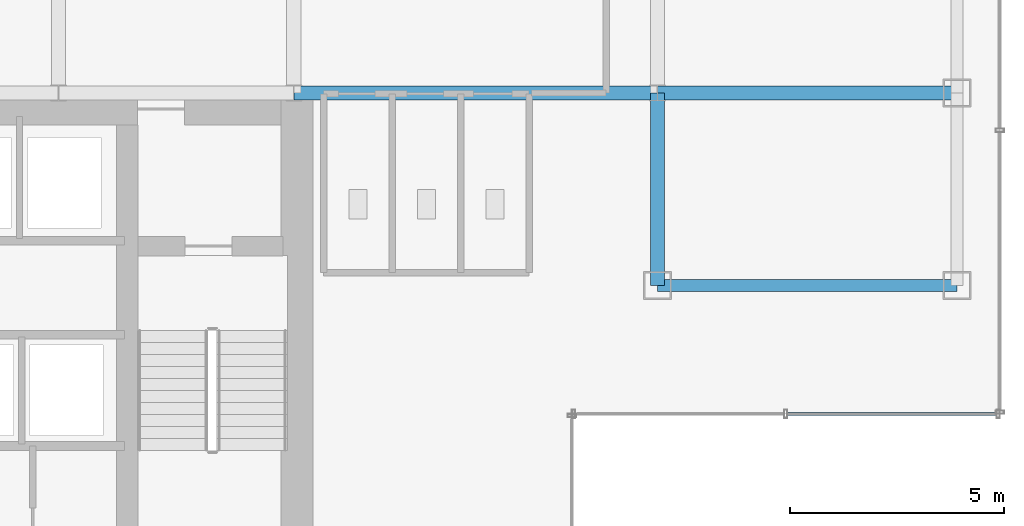
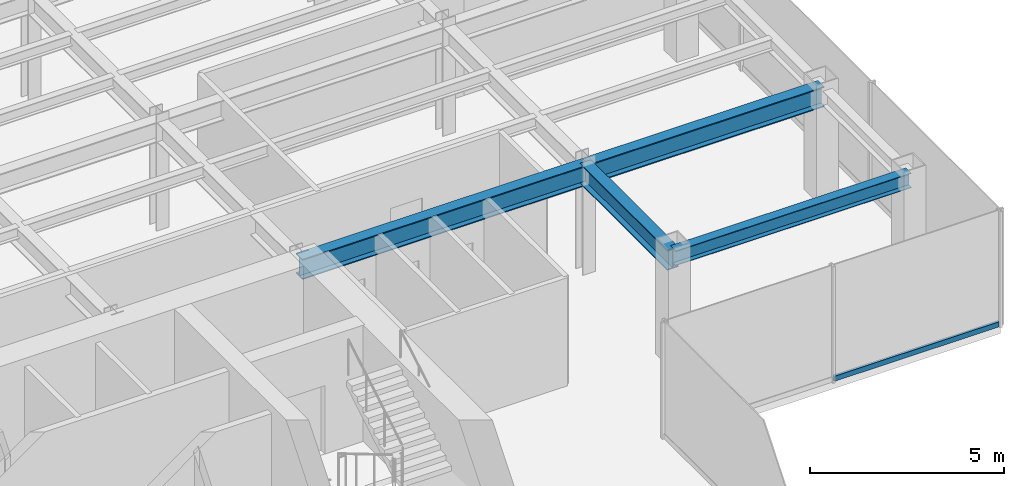
# One storey, part 10 of 25: 4 beams, 1 member, 1 element without a shape of its own.
"""IFC4 building model written with IfcOpenShell, lengths in metres."""

import ifcopenshell
import ifcopenshell.guid

model = None  # the IFC model being written
_history = None  # IfcOwnerHistory: only IFC2X3 demands one
_inside = {}  # id of a spatial element -> (the spatial element, [elements in it])
_under = {}  # id of a project, library or spatial element -> (it, [spatial elements below it])
_declared = {}  # id of a project -> (the project, [libraries it declares])
_typed = {}  # id of a type object -> (the type object, [elements of that type])
_made_of = {}  # id of a material, layer set ... -> (it, [elements and type objects made of it])


def new_model(schema):
    """Start an empty IFC model of exactly this schema.

    Asked for "IFC4X3", IfcOpenShell would pick the latest addendum, in which some entities
    have other attributes; the version numbers below select the first issue.
    IFC2X3 requires an IfcOwnerHistory on every rooted entity: one is made here for all.
    """
    global model, _history
    if schema == "IFC4X3":
        model = ifcopenshell.file(schema_version=(4, 3, 0, 0))
    else:
        model = ifcopenshell.file(schema=schema)
    _inside.clear()
    _under.clear()
    _declared.clear()
    _typed.clear()
    _made_of.clear()
    _history = None
    if model.schema == "IFC2X3":
        org = make("IfcOrganization", Name="unknown")
        user = make(
            "IfcPersonAndOrganization",
            ThePerson=make("IfcPerson", FamilyName="unknown"),
            TheOrganization=org,
        )
        app = make(
            "IfcApplication",
            ApplicationDeveloper=org,
            Version="unknown",
            ApplicationFullName="unknown",
            ApplicationIdentifier="unknown",
        )
        _history = make(
            "IfcOwnerHistory",
            OwningUser=user,
            OwningApplication=app,
            ChangeAction="ADDED",
            CreationDate=0,
        )
    return model


def make(cls, **values):
    """One entity of the class cls with the attributes given. An attribute that is None is left unset."""
    return model.create_entity(
        cls, **{name: value for name, value in values.items() if value is not None}
    )


def rooted(cls, **values):
    """An entity with a GlobalId (a new one), such as an element, a storey or a relation."""
    return make(cls, GlobalId=ifcopenshell.guid.new(), OwnerHistory=_history, **values)


def si_unit(unit_type, name, prefix=None):
    """IfcSIUnit, for example si_unit("LENGTHUNIT", "METRE", prefix="MILLI")."""
    return make("IfcSIUnit", UnitType=unit_type, Prefix=prefix, Name=name)


def derived_unit(unit_type, elements):
    """IfcDerivedUnit: a product of units, each with its exponent."""
    return make(
        "IfcDerivedUnit",
        Elements=[
            make("IfcDerivedUnitElement", Unit=unit, Exponent=power)
            for unit, power in elements
        ],
        UnitType=unit_type,
    )


def assignment(units):
    """IfcUnitAssignment: the units of a project."""
    return None if units is None else make("IfcUnitAssignment", Units=units)


def point(xyz):
    """IfcCartesianPoint."""
    return None if xyz is None else make("IfcCartesianPoint", Coordinates=xyz)


def direction(xyz):
    """IfcDirection."""
    return None if xyz is None else make("IfcDirection", DirectionRatios=xyz)


def frame(location, z_axis=None, x_axis=None):
    """IfcAxis2Placement3D, a coordinate frame: its origin and axes. An axis left out is left unset."""
    return make(
        "IfcAxis2Placement3D",
        Location=point(location),
        Axis=direction(z_axis),
        RefDirection=direction(x_axis),
    )


def frame_2d(location, x_axis=None):
    """IfcAxis2Placement2D, a coordinate frame in the plane: its origin and x axis."""
    return make(
        "IfcAxis2Placement2D", Location=point(location), RefDirection=direction(x_axis)
    )


def origin():
    """The frame at (0, 0, 0) with its axes left unset."""
    return frame((0.0, 0.0, 0.0))


def origin_2d():
    """The frame at (0, 0) in the plane with its x axis left unset."""
    return frame_2d((0.0, 0.0))


def place(relative_to, where):
    """IfcLocalPlacement: puts the frame where relative to a parent placement (None: the world)."""
    return make(
        "IfcLocalPlacement", PlacementRelTo=relative_to, RelativePlacement=where
    )


def context(
    kind, dimensions, precision=None, world=None, true_north=None, identifier=None
):
    """IfcGeometricRepresentationContext, for example the 3D "Model" context."""
    return make(
        "IfcGeometricRepresentationContext",
        ContextIdentifier=identifier,
        ContextType=kind,
        CoordinateSpaceDimension=dimensions,
        Precision=precision,
        WorldCoordinateSystem=world,
        TrueNorth=true_north,
    )


def subcontext(parent, identifier, kind, view, scale=None):
    """IfcGeometricRepresentationSubContext, for example "Body" below "Model"."""
    return make(
        "IfcGeometricRepresentationSubContext",
        ContextIdentifier=identifier,
        ContextType=kind,
        ParentContext=parent,
        TargetScale=scale,
        TargetView=view,
    )


def project(units=None, contexts=None):
    """IfcProject with its units and contexts."""
    return rooted(
        "IfcProject",
        Name="project",
        RepresentationContexts=contexts,
        UnitsInContext=assignment(units),
    )


def spatial(cls, under=None, at=None, **own):
    """A site, building, storey or space (cls), placed at a placement, below another one or the project."""
    s = rooted(cls, ObjectPlacement=at, **own)
    if under is not None:
        _under.setdefault(under.id(), (under, []))[1].append(s)
    return s


def profile(cls, at=None, kind="AREA", **sizes):
    """A parametric profile (cls). Its sizes go by their IFC names, for example OverallWidth=200.0."""
    return make(cls, ProfileType=kind, Position=at, **sizes)


def hollow_rectangle(**sizes):
    """IfcRectangleHollowProfileDef."""
    return profile("IfcRectangleHollowProfileDef", **sizes)


def i_section(**sizes):
    """IfcIShapeProfileDef."""
    return profile("IfcIShapeProfileDef", **sizes)


def extrude(swept, where, along, depth):
    """IfcExtrudedAreaSolid: the profile swept, set in the frame where, extruded along a direction by depth."""
    return make(
        "IfcExtrudedAreaSolid",
        SweptArea=swept,
        Position=where,
        ExtrudedDirection=direction(along),
        Depth=depth,
    )


def shape(context_of_items, identifier, shape_type, items):
    """IfcShapeRepresentation: the items that make up one representation, for example the "Body"."""
    return make(
        "IfcShapeRepresentation",
        ContextOfItems=context_of_items,
        RepresentationIdentifier=identifier,
        RepresentationType=shape_type,
        Items=items,
    )


def source(mapping_origin, context_of_items, identifier, shape_type, items):
    """IfcRepresentationMap: a shape defined once, which mapped items show again and again."""
    return make(
        "IfcRepresentationMap",
        MappingOrigin=mapping_origin,
        MappedRepresentation=shape(context_of_items, identifier, shape_type, items),
    )


def transform(
    local_origin,
    x_axis=None,
    y_axis=None,
    z_axis=None,
    scale=None,
    scale2=None,
    scale3=None,
    uniform=True,
):
    """IfcCartesianTransformationOperator3D, or its non-uniform kind. x_axis, y_axis, z_axis: its Axis1, 2, 3."""
    if uniform:
        return make(
            "IfcCartesianTransformationOperator3D",
            Axis1=direction(x_axis),
            Axis2=direction(y_axis),
            LocalOrigin=point(local_origin),
            Scale=scale,
            Axis3=direction(z_axis),
        )
    return make(
        "IfcCartesianTransformationOperator3DnonUniform",
        Axis1=direction(x_axis),
        Axis2=direction(y_axis),
        LocalOrigin=point(local_origin),
        Scale=scale,
        Axis3=direction(z_axis),
        Scale2=scale2,
        Scale3=scale3,
    )


def mapped(mapping_source, mapping_target):
    """IfcMappedItem: shows the shape of a source again, moved by a transform."""
    return make(
        "IfcMappedItem", MappingSource=mapping_source, MappingTarget=mapping_target
    )


def material(Name=None, Category=None):
    """IfcMaterial."""
    return make("IfcMaterial", Name=Name, Category=Category)


def material_profile(
    of_material, cross_section, Name=None, Category=None, Priority=None
):
    """IfcMaterialProfile: a cross section and its material."""
    return make(
        "IfcMaterialProfile",
        Name=Name,
        Material=of_material,
        Profile=cross_section,
        Priority=Priority,
        Category=Category,
    )


def profile_set(profiles, Name=None, composite=None):
    """IfcMaterialProfileSet."""
    return make(
        "IfcMaterialProfileSet",
        Name=Name,
        MaterialProfiles=profiles,
        CompositeProfile=composite,
    )


def made_of(thing, what):
    """Note that an element or type object is made of a material, layer set ...; save() writes the relation."""
    if what is not None:
        _made_of.setdefault(what.id(), (what, []))[1].append(thing)
    return thing


def type_object(cls, material=None, **own):
    """A type object (cls), such as IfcWallType, which elements share."""
    return made_of(rooted(cls, **own), material)


def element(
    cls,
    number,
    at=None,
    inside=None,
    cuts=None,
    type_object=None,
    material=None,
    context=None,
    identifier="Body",
    shape_type=None,
    held_by="IfcProductDefinitionShape",
    body=None,
    shapes=None,
    **own,
):
    """One element of the class cls, such as IfcWall. Its Tag is "e" and its number.

    at: its placement. inside: the storey or other place that contains it. cuts: it is an
    opening in that element (IfcRelVoidsElement). A single representation is given by context,
    identifier, shape_type and body (its items); several are given by shapes. held_by: the class
    of the entity that holds the representations. save() writes the other relations.
    """
    e = rooted(cls, Tag="e%d" % number, ObjectPlacement=at, **own)
    if body is not None:
        shapes = [shape(context, identifier, shape_type, body)]
    if shapes is not None:
        e.Representation = make(held_by, Representations=shapes)
    if inside is not None:
        _inside.setdefault(inside.id(), (inside, []))[1].append(e)
    if cuts is not None:
        rooted(
            "IfcRelVoidsElement", RelatingBuildingElement=cuts, RelatedOpeningElement=e
        )
    if type_object is not None:
        _typed.setdefault(type_object.id(), (type_object, []))[1].append(e)
    return made_of(e, material)


def aggregate(whole, parts):
    """IfcRelAggregates: a whole, such as a stair, and the parts it consists of."""
    return rooted("IfcRelAggregates", RelatingObject=whole, RelatedObjects=parts)


def save(model, path):
    """Write the relations noted so far, then the file.

    IfcRelAggregates (storeys below a building ...), IfcRelContainedInSpatialStructure (elements
    in a storey), IfcRelDefinesByType, IfcRelAssociatesMaterial and IfcRelDeclares: one each for
    every whole, place, type object, material and project.
    """
    for whole, parts in _under.values():
        aggregate(whole, parts)
    for where, things in _inside.values():
        rooted(
            "IfcRelContainedInSpatialStructure",
            RelatedElements=things,
            RelatingStructure=where,
        )
    for kind, things in _typed.values():
        rooted("IfcRelDefinesByType", RelatedObjects=things, RelatingType=kind)
    for what, things in _made_of.values():
        rooted("IfcRelAssociatesMaterial", RelatedObjects=things, RelatingMaterial=what)
    for by, libraries in _declared.values():
        rooted("IfcRelDeclares", RelatingContext=by, RelatedDefinitions=libraries)
    model.write(path)


model = new_model("IFC4")

# Units and contexts
model_context = context("Model", 3, precision=1e-05, world=origin(), true_north=direction((0.0, 1.0)))
body_context = subcontext(model_context, "Body", "Model", "MODEL_VIEW")
ifc_project = project(units=[si_unit("LENGTHUNIT", "METRE"), si_unit("AREAUNIT", "SQUARE_METRE"), si_unit("VOLUMEUNIT", "CUBIC_METRE"), si_unit("PLANEANGLEUNIT", "RADIAN"), si_unit("MASSUNIT", "GRAM", prefix="KILO"), derived_unit("THERMALTRANSMITTANCEUNIT", [(si_unit("POWERUNIT", "WATT"), 1), (si_unit("LENGTHUNIT", "METRE"), -2), (si_unit("THERMODYNAMICTEMPERATUREUNIT", "KELVIN"), -1)])], contexts=[model_context])

# Site, building, storey
site_placement = place(None, origin())
site = spatial("IfcSite", under=ifc_project, at=site_placement, CompositionType="ELEMENT")
building_placement = place(site_placement, origin())
building = spatial("IfcBuilding", under=site, at=building_placement, Name="Skarnbrae Concourse Arena and Tower", CompositionType="ELEMENT")
storey_placement = place(building_placement, frame((0.0, 0.0, 147.89990234375)))
storey = spatial("IfcBuildingStorey", under=building, at=storey_placement, Name="L37", CompositionType="ELEMENT", Elevation=147.89990234375)

# Beams
ifc_material_1 = material(Name="Steel CSA G40.21 350W", Category="steel")
ifc_material_profile_1 = material_profile(ifc_material_1, i_section(OverallWidth=0.280029296875, OverallDepth=0.462890625, WebThickness=0.0107421875, FlangeThickness=0.017333984375, at=origin_2d()), Name="W460X113")
ifc_profile_set_1 = profile_set([ifc_material_profile_1], Name="Steel CSA G40.21 350W")
beam_type_1 = type_object("IfcBeamType", Name="BM-SPAN-W460X113", PredefinedType="SPANDREL", material=ifc_profile_set_1)
shared_shape_1 = source(origin(), body_context, "Body", "SweptSolid", [
    extrude(i_section(OverallWidth=0.280029296875, OverallDepth=0.462890625, WebThickness=0.0107421875, FlangeThickness=0.017333984375, at=origin_2d()), origin(), (0.0, 0.0, 1.0), 7.0),
])
beam_1_placement = place(storey_placement, frame((42.0, 9.5, 3.168701171875), z_axis=(1.0, 0.0, 0.0), x_axis=(0.0, 1.0, 0.0)))
element("IfcBeam", 1, at=beam_1_placement, inside=storey, type_object=beam_type_1, Name="L37 Perimeter spandrel Y9.5-2", PredefinedType="SPANDREL", context=body_context, shape_type="MappedRepresentation", body=[
    mapped(shared_shape_1, transform((0.0, 0.0, 0.0))),
])
ifc_material_profile_2 = material_profile(ifc_material_1, i_section(OverallWidth=0.3291015625, OverallDepth=0.635009765625, WebThickness=0.017822265625, FlangeThickness=0.031005859375, at=origin_2d()), Name="W610X241")
ifc_profile_set_2 = profile_set([ifc_material_profile_2], Name="Steel CSA G40.21 350W")
beam_type_2 = type_object("IfcBeamType", Name="BM-GIRD-W610X241", PredefinedType="BEAM", material=ifc_profile_set_2)
shared_shape_2 = source(origin(), body_context, "Body", "SweptSolid", [
    extrude(i_section(OverallWidth=0.3291015625, OverallDepth=0.635009765625, WebThickness=0.017822265625, FlangeThickness=0.031005859375, at=origin_2d()), origin(), (0.0, 0.0, 1.0), 8.5),
])
beam_2_placement = place(storey_placement, frame((33.5, 14.0, 3.08251953125), z_axis=(1.0, 0.0, 0.0), x_axis=(0.0, 1.0, 0.0)))
element("IfcBeam", 2, at=beam_2_placement, inside=storey, type_object=beam_type_2, Name="L37 Primary E-W girder Y14.0-6", PredefinedType="BEAM", context=body_context, shape_type="MappedRepresentation", body=[
    mapped(shared_shape_2, transform((0.0, 0.0, 0.0))),
])
shared_shape_3 = source(origin(), body_context, "Body", "SweptSolid", [
    extrude(i_section(OverallWidth=0.3291015625, OverallDepth=0.635009765625, WebThickness=0.017822265625, FlangeThickness=0.031005859375, at=origin_2d()), origin(), (0.0, 0.0, 1.0), 7.0),
])
beam_3_placement = place(storey_placement, frame((42.0, 14.0, 3.08251953125), z_axis=(1.0, 0.0, 0.0), x_axis=(0.0, 1.0, 0.0)))
element("IfcBeam", 3, at=beam_3_placement, inside=storey, type_object=beam_type_2, Name="L37 Primary E-W girder Y14.0-7", PredefinedType="BEAM", context=body_context, shape_type="MappedRepresentation", body=[
    mapped(shared_shape_3, transform((0.0, 0.0, 0.0))),
])
shared_shape_4 = source(origin(), body_context, "Body", "SweptSolid", [
    extrude(i_section(OverallWidth=0.3291015625, OverallDepth=0.635009765625, WebThickness=0.017822265625, FlangeThickness=0.031005859375, at=origin_2d()), origin(), (0.0, 0.0, 1.0), 4.5),
])
beam_4_placement = place(storey_placement, frame((42.0, 9.5, 3.08251953125), z_axis=(0.0, 1.0, 0.0), x_axis=(-1.0, 0.0, 0.0)))
element("IfcBeam", 4, at=beam_4_placement, inside=storey, type_object=beam_type_2, Name="L37 Primary N-S girder X42.0-1", PredefinedType="BEAM", context=body_context, shape_type="MappedRepresentation", body=[
    mapped(shared_shape_4, transform((0.0, 0.0, 0.0))),
])

# Curtain wall, member
ifc_material_2 = material(Name="Bronze anodised aluminium 6063-T6", Category="aluminium")
curtain_wall_type = type_object("IfcCurtainWallType", Name="CW-SYS-04-MIDZONE", PredefinedType="USERDEFINED", material=ifc_material_2)
curtain_wall_placement = place(storey_placement, origin())
curtain_wall = element("IfcCurtainWall", 5, at=curtain_wall_placement, inside=storey, type_object=curtain_wall_type, Name="L37 Unitised curtain wall CW-L37-E03", ObjectType="UNITISED CURTAIN WALL", PredefinedType="USERDEFINED")
ifc_material_profile_3 = material_profile(ifc_material_2, hollow_rectangle(XDim=0.074951171875, YDim=0.159912109375, WallThickness=0.00439453125, at=origin_2d()), Name="ALU-TRAN-75X160")
ifc_profile_set_3 = profile_set([ifc_material_profile_3], Name="Bronze anodised aluminium 6063-T6")
member_type = type_object("IfcMemberType", Name="CWT-CW-04", PredefinedType="USERDEFINED", material=ifc_profile_set_3)
shared_shape_5 = source(origin(), body_context, "Body", "SweptSolid", [
    extrude(hollow_rectangle(XDim=0.074951171875, YDim=0.159912109375, WallThickness=0.00439453125, at=origin_2d()), origin(), (0.0, 0.0, 1.0), 4.887451171875),
])
member_placement = place(storey_placement, frame((45.03759765625, 6.5, 0.080078125), z_axis=(1.0, 0.0, 0.0), x_axis=(0.0, 1.0, 0.0)))
member = element("IfcMember", 6, at=member_placement, type_object=member_type, Name="CW-L37-E03 Transom 2", ObjectType="TRANSOM", PredefinedType="USERDEFINED", context=body_context, shape_type="MappedRepresentation", body=[
    mapped(shared_shape_5, transform((0.0, 0.0, 0.0))),
])
aggregate(curtain_wall, [member])

save(model, "model.ifc")
